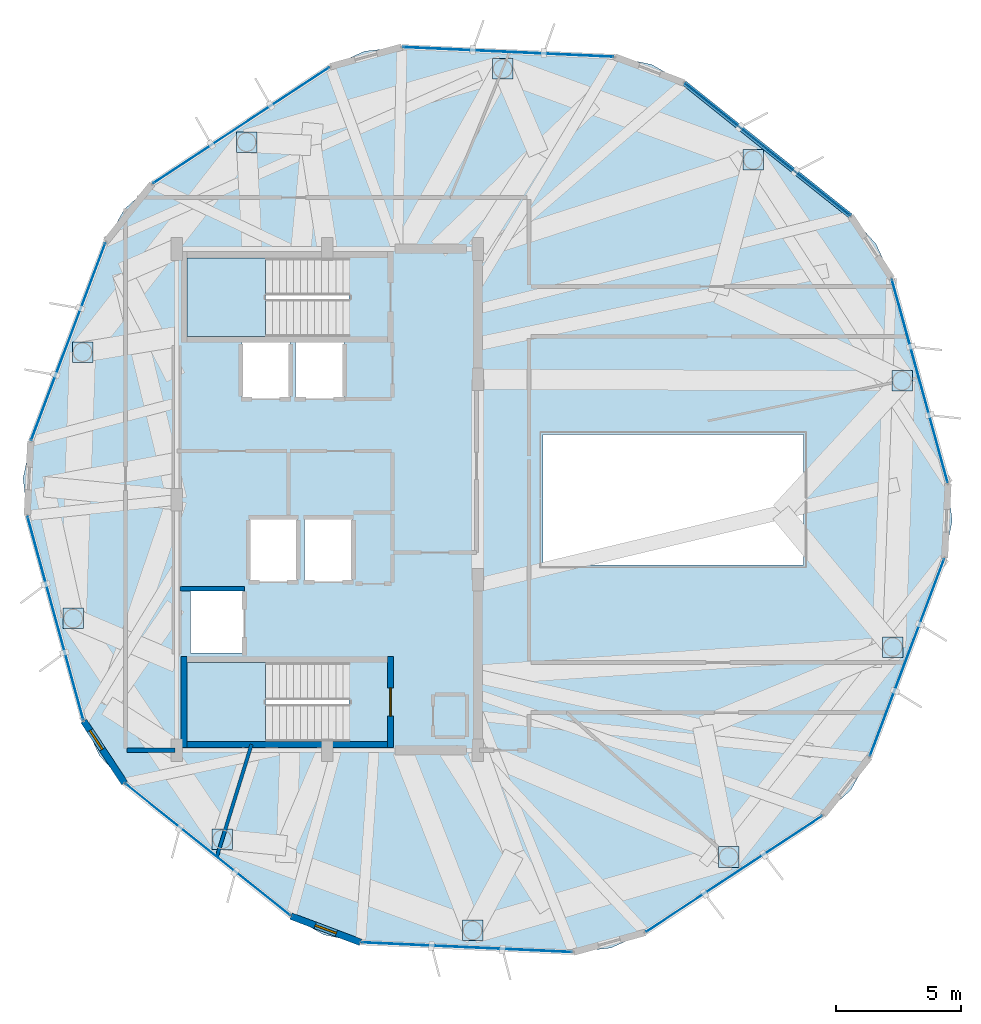
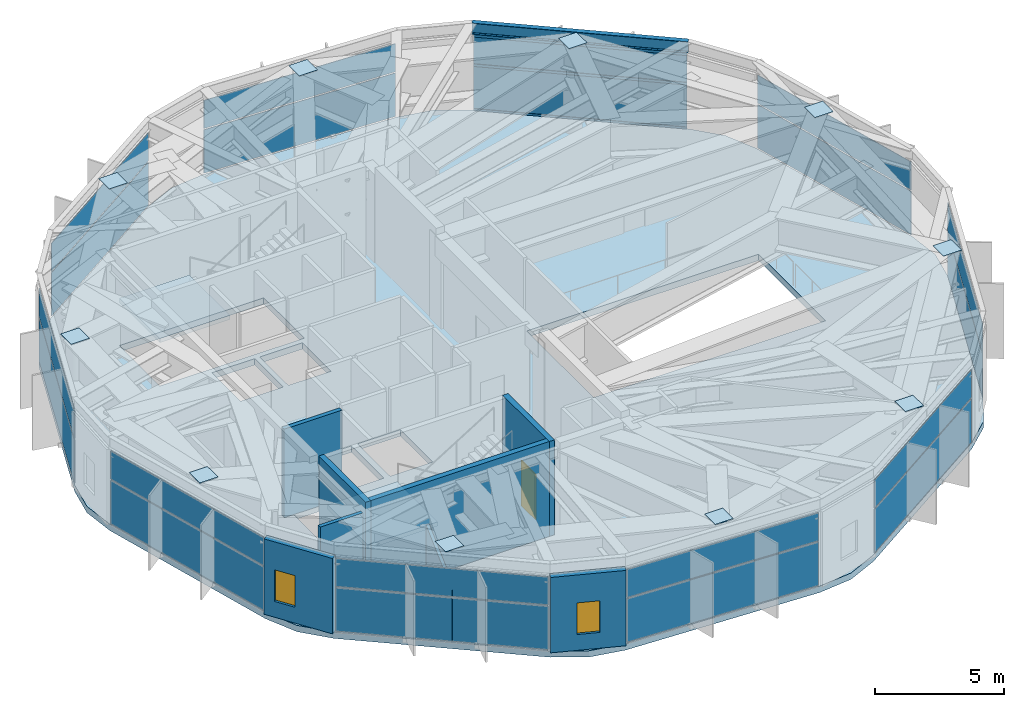
# One storey, part 21 of 27: 30 plates, 8 walls, 3 members, 3 slabs, 2 windows, 1 beam, 1 door, 3 openings, 12 elements without a shape of their own.
"""IFC4 building model written with IfcOpenShell, lengths in metres."""

import ifcopenshell
import ifcopenshell.guid

model = None  # the IFC model being written
_history = None  # IfcOwnerHistory: only IFC2X3 demands one
_inside = {}  # id of a spatial element -> (the spatial element, [elements in it])
_under = {}  # id of a project, library or spatial element -> (it, [spatial elements below it])
_declared = {}  # id of a project -> (the project, [libraries it declares])
_typed = {}  # id of a type object -> (the type object, [elements of that type])
_made_of = {}  # id of a material, layer set ... -> (it, [elements and type objects made of it])


def new_model(schema):
    """Start an empty IFC model of exactly this schema.

    Asked for "IFC4X3", IfcOpenShell would pick the latest addendum, in which some entities
    have other attributes; the version numbers below select the first issue.
    IFC2X3 requires an IfcOwnerHistory on every rooted entity: one is made here for all.
    """
    global model, _history
    if schema == "IFC4X3":
        model = ifcopenshell.file(schema_version=(4, 3, 0, 0))
    else:
        model = ifcopenshell.file(schema=schema)
    _inside.clear()
    _under.clear()
    _declared.clear()
    _typed.clear()
    _made_of.clear()
    _history = None
    if model.schema == "IFC2X3":
        org = make("IfcOrganization", Name="unknown")
        user = make(
            "IfcPersonAndOrganization",
            ThePerson=make("IfcPerson", FamilyName="unknown"),
            TheOrganization=org,
        )
        app = make(
            "IfcApplication",
            ApplicationDeveloper=org,
            Version="unknown",
            ApplicationFullName="unknown",
            ApplicationIdentifier="unknown",
        )
        _history = make(
            "IfcOwnerHistory",
            OwningUser=user,
            OwningApplication=app,
            ChangeAction="ADDED",
            CreationDate=0,
        )
    return model


def make(cls, **values):
    """One entity of the class cls with the attributes given. An attribute that is None is left unset."""
    return model.create_entity(
        cls, **{name: value for name, value in values.items() if value is not None}
    )


def rooted(cls, **values):
    """An entity with a GlobalId (a new one), such as an element, a storey or a relation."""
    return make(cls, GlobalId=ifcopenshell.guid.new(), OwnerHistory=_history, **values)


def si_unit(unit_type, name, prefix=None):
    """IfcSIUnit, for example si_unit("LENGTHUNIT", "METRE", prefix="MILLI")."""
    return make("IfcSIUnit", UnitType=unit_type, Prefix=prefix, Name=name)


def assignment(units):
    """IfcUnitAssignment: the units of a project."""
    return None if units is None else make("IfcUnitAssignment", Units=units)


def point(xyz):
    """IfcCartesianPoint."""
    return None if xyz is None else make("IfcCartesianPoint", Coordinates=xyz)


def direction(xyz):
    """IfcDirection."""
    return None if xyz is None else make("IfcDirection", DirectionRatios=xyz)


def frame(location, z_axis=None, x_axis=None):
    """IfcAxis2Placement3D, a coordinate frame: its origin and axes. An axis left out is left unset."""
    return make(
        "IfcAxis2Placement3D",
        Location=point(location),
        Axis=direction(z_axis),
        RefDirection=direction(x_axis),
    )


def frame_2d(location, x_axis=None):
    """IfcAxis2Placement2D, a coordinate frame in the plane: its origin and x axis."""
    return make(
        "IfcAxis2Placement2D", Location=point(location), RefDirection=direction(x_axis)
    )


def origin():
    """The frame at (0, 0, 0) with its axes left unset."""
    return frame((0.0, 0.0, 0.0))


def origin_2d():
    """The frame at (0, 0) in the plane with its x axis left unset."""
    return frame_2d((0.0, 0.0))


def place(relative_to, where):
    """IfcLocalPlacement: puts the frame where relative to a parent placement (None: the world)."""
    return make(
        "IfcLocalPlacement", PlacementRelTo=relative_to, RelativePlacement=where
    )


def context(
    kind, dimensions, precision=None, world=None, true_north=None, identifier=None
):
    """IfcGeometricRepresentationContext, for example the 3D "Model" context."""
    return make(
        "IfcGeometricRepresentationContext",
        ContextIdentifier=identifier,
        ContextType=kind,
        CoordinateSpaceDimension=dimensions,
        Precision=precision,
        WorldCoordinateSystem=world,
        TrueNorth=true_north,
    )


def subcontext(parent, identifier, kind, view, scale=None):
    """IfcGeometricRepresentationSubContext, for example "Body" below "Model"."""
    return make(
        "IfcGeometricRepresentationSubContext",
        ContextIdentifier=identifier,
        ContextType=kind,
        ParentContext=parent,
        TargetScale=scale,
        TargetView=view,
    )


def project(units=None, contexts=None):
    """IfcProject with its units and contexts."""
    return rooted(
        "IfcProject",
        Name="project",
        RepresentationContexts=contexts,
        UnitsInContext=assignment(units),
    )


def spatial(cls, under=None, at=None, **own):
    """A site, building, storey or space (cls), placed at a placement, below another one or the project."""
    s = rooted(cls, ObjectPlacement=at, **own)
    if under is not None:
        _under.setdefault(under.id(), (under, []))[1].append(s)
    return s


def polyline(points):
    """IfcPolyline through the points."""
    return make("IfcPolyline", Points=[point(p) for p in points])


def profile(cls, at=None, kind="AREA", **sizes):
    """A parametric profile (cls). Its sizes go by their IFC names, for example OverallWidth=200.0."""
    return make(cls, ProfileType=kind, Position=at, **sizes)


def rectangle(**sizes):
    """IfcRectangleProfileDef."""
    return profile("IfcRectangleProfileDef", **sizes)


def hollow_rectangle(**sizes):
    """IfcRectangleHollowProfileDef."""
    return profile("IfcRectangleHollowProfileDef", **sizes)


def i_section(**sizes):
    """IfcIShapeProfileDef."""
    return profile("IfcIShapeProfileDef", **sizes)


def outline(outer, holes=None, kind="AREA"):
    """IfcArbitraryClosedProfileDef: a profile drawn as a closed curve; with holes, ...WithVoids."""
    if holes is None:
        return make("IfcArbitraryClosedProfileDef", ProfileType=kind, OuterCurve=outer)
    return make(
        "IfcArbitraryProfileDefWithVoids",
        ProfileType=kind,
        OuterCurve=outer,
        InnerCurves=holes,
    )


def extrude(swept, where, along, depth):
    """IfcExtrudedAreaSolid: the profile swept, set in the frame where, extruded along a direction by depth."""
    return make(
        "IfcExtrudedAreaSolid",
        SweptArea=swept,
        Position=where,
        ExtrudedDirection=direction(along),
        Depth=depth,
    )


def shape(context_of_items, identifier, shape_type, items):
    """IfcShapeRepresentation: the items that make up one representation, for example the "Body"."""
    return make(
        "IfcShapeRepresentation",
        ContextOfItems=context_of_items,
        RepresentationIdentifier=identifier,
        RepresentationType=shape_type,
        Items=items,
    )


def material(Name=None, Category=None):
    """IfcMaterial."""
    return make("IfcMaterial", Name=Name, Category=Category)


def layer(
    of_material, thickness, ventilated=None, Name=None, Category=None, Priority=None
):
    """IfcMaterialLayer: one layer of a wall or slab, of a material (None: an air gap)."""
    return make(
        "IfcMaterialLayer",
        Material=of_material,
        LayerThickness=thickness,
        IsVentilated=ventilated,
        Name=Name,
        Category=Category,
        Priority=Priority,
    )


def layer_set(layers, Name=None):
    """IfcMaterialLayerSet."""
    return make("IfcMaterialLayerSet", MaterialLayers=layers, LayerSetName=Name)


def material_profile(
    of_material, cross_section, Name=None, Category=None, Priority=None
):
    """IfcMaterialProfile: a cross section and its material."""
    return make(
        "IfcMaterialProfile",
        Name=Name,
        Material=of_material,
        Profile=cross_section,
        Priority=Priority,
        Category=Category,
    )


def profile_set(profiles, Name=None, composite=None):
    """IfcMaterialProfileSet."""
    return make(
        "IfcMaterialProfileSet",
        Name=Name,
        MaterialProfiles=profiles,
        CompositeProfile=composite,
    )


def made_of(thing, what):
    """Note that an element or type object is made of a material, layer set ...; save() writes the relation."""
    if what is not None:
        _made_of.setdefault(what.id(), (what, []))[1].append(thing)
    return thing


def type_object(cls, material=None, **own):
    """A type object (cls), such as IfcWallType, which elements share."""
    return made_of(rooted(cls, **own), material)


def element(
    cls,
    number,
    at=None,
    inside=None,
    cuts=None,
    type_object=None,
    material=None,
    context=None,
    identifier="Body",
    shape_type=None,
    held_by="IfcProductDefinitionShape",
    body=None,
    shapes=None,
    **own,
):
    """One element of the class cls, such as IfcWall. Its Tag is "e" and its number.

    at: its placement. inside: the storey or other place that contains it. cuts: it is an
    opening in that element (IfcRelVoidsElement). A single representation is given by context,
    identifier, shape_type and body (its items); several are given by shapes. held_by: the class
    of the entity that holds the representations. save() writes the other relations.
    """
    e = rooted(cls, Tag="e%d" % number, ObjectPlacement=at, **own)
    if body is not None:
        shapes = [shape(context, identifier, shape_type, body)]
    if shapes is not None:
        e.Representation = make(held_by, Representations=shapes)
    if inside is not None:
        _inside.setdefault(inside.id(), (inside, []))[1].append(e)
    if cuts is not None:
        rooted(
            "IfcRelVoidsElement", RelatingBuildingElement=cuts, RelatedOpeningElement=e
        )
    if type_object is not None:
        _typed.setdefault(type_object.id(), (type_object, []))[1].append(e)
    return made_of(e, material)


def fill(opening, filler):
    """IfcRelFillsElement: the door or window that sits in an opening."""
    return rooted(
        "IfcRelFillsElement",
        RelatingOpeningElement=opening,
        RelatedBuildingElement=filler,
    )


def aggregate(whole, parts):
    """IfcRelAggregates: a whole, such as a stair, and the parts it consists of."""
    return rooted("IfcRelAggregates", RelatingObject=whole, RelatedObjects=parts)


def save(model, path):
    """Write the relations noted so far, then the file.

    IfcRelAggregates (storeys below a building ...), IfcRelContainedInSpatialStructure (elements
    in a storey), IfcRelDefinesByType, IfcRelAssociatesMaterial and IfcRelDeclares: one each for
    every whole, place, type object, material and project.
    """
    for whole, parts in _under.values():
        aggregate(whole, parts)
    for where, things in _inside.values():
        rooted(
            "IfcRelContainedInSpatialStructure",
            RelatedElements=things,
            RelatingStructure=where,
        )
    for kind, things in _typed.values():
        rooted("IfcRelDefinesByType", RelatedObjects=things, RelatingType=kind)
    for what, things in _made_of.values():
        rooted("IfcRelAssociatesMaterial", RelatedObjects=things, RelatingMaterial=what)
    for by, libraries in _declared.values():
        rooted("IfcRelDeclares", RelatingContext=by, RelatedDefinitions=libraries)
    model.write(path)


model = new_model("IFC4")

# Units and contexts
model_context = context("Model", 3, precision=1e-05, world=origin(), true_north=direction((0.0, 1.0)))
body_context = subcontext(model_context, "Body", "Model", "MODEL_VIEW")
ifc_project = project(units=[si_unit("LENGTHUNIT", "METRE"), si_unit("AREAUNIT", "SQUARE_METRE"), si_unit("VOLUMEUNIT", "CUBIC_METRE"), si_unit("PLANEANGLEUNIT", "RADIAN"), si_unit("MASSUNIT", "GRAM", prefix="KILO")], contexts=[model_context])

# Site, building, storey
site_placement = place(None, origin())
site = spatial("IfcSite", under=ifc_project, at=site_placement, CompositionType="ELEMENT")
building_placement = place(site_placement, origin())
building = spatial("IfcBuilding", under=site, at=building_placement, Name="Soratama Intermodal Tower", CompositionType="ELEMENT")
storey_placement = place(building_placement, frame((0.0, 0.0, 288.550048828125)))
storey = spatial("IfcBuildingStorey", under=building, at=storey_placement, Name="L73", CompositionType="ELEMENT", Elevation=288.550048828125)

# Beam
ifc_material_1 = material(Name="Structural steel ASTM A992 Grade 50", Category="steel")
ifc_material_profile_1 = material_profile(ifc_material_1, i_section(OverallWidth=0.2099609375, OverallDepth=0.537109375, WebThickness=0.010986328125, FlangeThickness=0.017333984375, FilletRadius=0.012939453125, at=origin_2d()), Name="W21X68")
ifc_profile_set_1 = profile_set([ifc_material_profile_1], Name="Structural steel ASTM A992 Grade 50")
beam_type = type_object("IfcBeamType", Name="BM-SPN-W21X68", PredefinedType="SPANDREL", material=ifc_profile_set_1)
beam_placement = place(storey_placement, frame((59.48388671875, 36.31201171875, 3.926513671875), z_axis=(-0.781112560179, 0.624390237216, 0.0), x_axis=(-0.624390237216, -0.781112560179, 0.0)))
element("IfcBeam", 1, at=beam_placement, inside=storey, type_object=beam_type, Name="BS-L73-F10", PredefinedType="SPANDREL", context=body_context, shape_type="SweptSolid", body=[
    extrude(i_section(OverallWidth=0.2099609375, OverallDepth=0.537109375, WebThickness=0.010986328125, FlangeThickness=0.017333984375, FilletRadius=0.012939453125, at=origin_2d()), origin(), (0.0, 0.0, 1.0), 8.499267578125),
])

# Curtain wall, members
ifc_material_2 = material(Name="Double-glazed aluminium curtain wall", Category="aluminium")
ifc_layer_1 = layer(ifc_material_2, 0.159912109375)
ifc_layer_set_1 = layer_set([ifc_layer_1], Name="Double-glazed aluminium curtain wall")
curtain_wall_type = type_object("IfcCurtainWallType", Name="CW-SYS-6", PredefinedType="NOTDEFINED", material=ifc_layer_set_1)
curtain_wall_1_placement = place(storey_placement, origin())
curtain_wall_1 = element("IfcCurtainWall", 2, at=curtain_wall_1_placement, inside=storey, type_object=curtain_wall_type, Name="L73 Faceted Curtain Wall F10", PredefinedType="NOTDEFINED")
ifc_material_3 = material(Name="Anodised aluminium AA 6063-T6", Category="aluminium")
ifc_material_profile_2 = material_profile(ifc_material_3, hollow_rectangle(XDim=0.06005859375, YDim=0.1298828125, WallThickness=0.0048828125, InnerFilletRadius=0.0048828125, OuterFilletRadius=0.010009765625, at=origin_2d()), Name="CWT130X60X5")
ifc_profile_set_2 = profile_set([ifc_material_profile_2], Name="Anodised aluminium AA 6063-T6")
member_type = type_object("IfcMemberType", Name="TT-CWT-2", PredefinedType="USERDEFINED", material=ifc_profile_set_2)
member_1_placement = place(storey_placement, frame((59.437255859375, 36.349365234375, 0.030029296875), z_axis=(-0.781081939423, 0.624428541874, 0.0), x_axis=(-0.624428541874, -0.781081939423, 0.0)))
member_1 = element("IfcMember", 3, at=member_1_placement, type_object=member_type, Name="CW-6 transom 1.1", ObjectType="TRANSOM", PredefinedType="USERDEFINED", context=body_context, shape_type="SweptSolid", body=[
    extrude(hollow_rectangle(XDim=0.06005859375, YDim=0.1298828125, WallThickness=0.0048828125, InnerFilletRadius=0.0048828125, OuterFilletRadius=0.010009765625, at=origin_2d()), origin(), (0.0, 0.0, 1.0), 8.3798828125),
])
member_2_placement = place(storey_placement, frame((59.437255859375, 36.349365234375, 2.14990234375), z_axis=(-0.781081939423, 0.624428541874, 0.0), x_axis=(-0.624428541874, -0.781081939423, 0.0)))
member_2 = element("IfcMember", 4, at=member_2_placement, type_object=member_type, Name="CW-6 transom 1.2", ObjectType="TRANSOM", PredefinedType="USERDEFINED", context=body_context, shape_type="SweptSolid", body=[
    extrude(hollow_rectangle(XDim=0.06005859375, YDim=0.1298828125, WallThickness=0.0048828125, InnerFilletRadius=0.0048828125, OuterFilletRadius=0.010009765625, at=origin_2d()), origin(), (0.0, 0.0, 1.0), 8.3798828125),
])
member_3_placement = place(storey_placement, frame((59.437255859375, 36.349365234375, 3.5439453125), z_axis=(-0.781081939423, 0.624428541874, 0.0), x_axis=(-0.624428541874, -0.781081939423, 0.0)))
member_3 = element("IfcMember", 5, at=member_3_placement, type_object=member_type, Name="CW-6 transom 1.3", ObjectType="TRANSOM", PredefinedType="USERDEFINED", context=body_context, shape_type="SweptSolid", body=[
    extrude(hollow_rectangle(XDim=0.06005859375, YDim=0.1298828125, WallThickness=0.0048828125, InnerFilletRadius=0.0048828125, OuterFilletRadius=0.010009765625, at=origin_2d()), origin(), (0.0, 0.0, 1.0), 8.3798828125),
])

# Plates
ifc_material_4 = material(Name="Steel ASTM A572 Gr 50", Category="steel")
ifc_layer_2 = layer(ifc_material_4, 0.030029296875)
ifc_layer_set_2 = layer_set([ifc_layer_2], Name="Steel ASTM A572 Gr 50")
plate_type_1 = type_object("IfcPlateType", Name="PT-CAP-CHS820", PredefinedType="USERDEFINED", material=ifc_layer_set_2)
for number, where, z_axis, x_axis, name in (
    (6, (61.53369140625, 29.740966796875, 4.1650390625), (0.0, 0.0, 1.0), (1.0, 0.0, 0.0), "L73 Hollow Column Cap Plate R01"),
    (7, (55.58935546875, 38.5537109375, 4.1650390625), (0.0, 0.0, 1.0), (1.0, 0.0, 0.0), "L73 Hollow Column Cap Plate R02"),
    (8, (45.600341796875, 42.189453125, 4.1650390625), (0.0, 0.0, 1.0), (1.0, 0.0, 0.0), "L73 Hollow Column Cap Plate R03"),
    (9, (35.3818359375, 39.259521484375, 4.1650390625), (0.0, 0.0, 1.0), (1.0, 0.0, 0.0), "L73 Hollow Column Cap Plate R04"),
    (10, (28.83740234375, 30.8828125, 4.1650390625), (0.0, 0.0, 1.0), (1.0, 0.0, 0.0), "L73 Hollow Column Cap Plate R05"),
    (11, (28.46630859375, 20.259033203125, 4.1650390625), (0.0, 0.0, 1.0), (1.0, 0.0, 0.0), "L73 Hollow Column Cap Plate R06"),
    (12, (34.41064453125, 11.4462890625, 4.1650390625), (0.0, 0.0, 1.0), (1.0, 0.0, 0.0), "L73 Hollow Column Cap Plate R07"),
    (13, (44.399658203125, 7.810546875, 4.1650390625), (0.0, 0.0, 1.0), (1.0, 0.0, 0.0), "L73 Hollow Column Cap Plate R08"),
    (14, (54.6181640625, 10.740478515625, 4.1650390625), (0.0, 0.0, 1.0), (1.0, 0.0, 0.0), "L73 Hollow Column Cap Plate R09"),
    (15, (61.16259765625, 19.1171875, 4.1650390625), (0.0, 0.0, 1.0), (1.0, 0.0, 0.0), "L73 Hollow Column Cap Plate R10"),
):
    element("IfcPlate", number, at=place(storey_placement, frame(where, z_axis=z_axis, x_axis=x_axis)), inside=storey, type_object=plate_type_1, Name=name, ObjectType="END PLATE", PredefinedType="USERDEFINED", context=body_context, shape_type="SweptSolid", body=[
        extrude(rectangle(XDim=0.820068359375, YDim=0.820068359375, at=origin_2d()), origin(), (0.0, 0.0, 1.0), 0.030029296875),
    ])

# Curtain wall, plates
curtain_wall_2_placement = place(storey_placement, origin())
curtain_wall_2 = element("IfcCurtainWall", 16, at=curtain_wall_2_placement, inside=storey, type_object=curtain_wall_type, Name="L73 Faceted Curtain Wall F01", PredefinedType="NOTDEFINED")
ifc_material_5 = material(Name="Low-E laminated double glazing", Category="glass")
ifc_layer_3 = layer(ifc_material_5, 0.01806640625)
ifc_layer_set_3 = layer_set([ifc_layer_3], Name="Low-E laminated double glazing")
plate_type_2 = type_object("IfcPlateType", Name="PT-CWP-6", PredefinedType="CURTAIN_PANEL", material=ifc_layer_set_3)
plate_1_placement = place(storey_placement, frame((45.823486328125, 42.86083984375, 0.059814453125), z_axis=(0.0, 0.0, 1.0), x_axis=(-0.998938659555, 0.04606033486, 0.0)))
plate_1 = element("IfcPlate", 17, at=plate_1_placement, type_object=plate_type_2, Name="CW-6 panel 1.1", PredefinedType="CURTAIN_PANEL", context=body_context, shape_type="SweptSolid", body=[
    extrude(rectangle(XDim=8.379638671875, YDim=0.028076171875, at=origin_2d()), origin(), (0.0, 0.0, 1.0), 2.06005859375),
])
plate_2_placement = place(storey_placement, frame((45.823486328125, 42.86083984375, 2.179931640625), z_axis=(0.0, 0.0, 1.0), x_axis=(-0.998938659555, 0.04606033486, 0.0)))
plate_2 = element("IfcPlate", 18, at=plate_2_placement, type_object=plate_type_2, Name="CW-6 panel 1.2", PredefinedType="CURTAIN_PANEL", context=body_context, shape_type="SweptSolid", body=[
    extrude(rectangle(XDim=8.379638671875, YDim=0.028076171875, at=origin_2d()), origin(), (0.0, 0.0, 1.0), 1.333984375),
])
aggregate(curtain_wall_2, [plate_1, plate_2])

curtain_wall_3_placement = place(storey_placement, origin())
curtain_wall_3 = element("IfcCurtainWall", 19, at=curtain_wall_3_placement, inside=storey, type_object=curtain_wall_type, Name="L73 Faceted Curtain Wall F02", PredefinedType="NOTDEFINED")
plate_3_placement = place(storey_placement, frame((35.16796875, 39.933837890625, 0.059814453125), z_axis=(0.0, 0.0, 1.0), x_axis=(-0.835236498161, -0.549890891123, 0.0)))
plate_3 = element("IfcPlate", 20, at=plate_3_placement, type_object=plate_type_2, Name="CW-6 panel 1.1", PredefinedType="CURTAIN_PANEL", context=body_context, shape_type="SweptSolid", body=[
    extrude(rectangle(XDim=8.3798828125, YDim=0.028076171875, at=origin_2d()), origin(), (0.0, 0.0, 1.0), 2.06005859375),
])
plate_4_placement = place(storey_placement, frame((35.16796875, 39.933837890625, 2.179931640625), z_axis=(0.0, 0.0, 1.0), x_axis=(-0.835236498161, -0.549890891123, 0.0)))
plate_4 = element("IfcPlate", 21, at=plate_4_placement, type_object=plate_type_2, Name="CW-6 panel 1.2", PredefinedType="CURTAIN_PANEL", context=body_context, shape_type="SweptSolid", body=[
    extrude(rectangle(XDim=8.3798828125, YDim=0.028076171875, at=origin_2d()), origin(), (0.0, 0.0, 1.0), 1.333984375),
])
aggregate(curtain_wall_3, [plate_3, plate_4])

curtain_wall_4_placement = place(storey_placement, origin())
curtain_wall_4 = element("IfcCurtainWall", 22, at=curtain_wall_4_placement, inside=storey, type_object=curtain_wall_type, Name="L73 Faceted Curtain Wall F03", PredefinedType="NOTDEFINED")
plate_5_placement = place(storey_placement, frame((28.267822265625, 31.302490234375, 0.059814453125), z_axis=(0.0, 0.0, 1.0), x_axis=(-0.352498745466, -0.935812285902, 0.0)))
plate_5 = element("IfcPlate", 23, at=plate_5_placement, type_object=plate_type_2, Name="CW-6 panel 1.1", PredefinedType="CURTAIN_PANEL", context=body_context, shape_type="SweptSolid", body=[
    extrude(rectangle(XDim=8.3798828125, YDim=0.028076171875, at=origin_2d()), origin(), (0.0, 0.0, 1.0), 2.06005859375),
])
plate_6_placement = place(storey_placement, frame((28.267822265625, 31.302490234375, 2.179931640625), z_axis=(0.0, 0.0, 1.0), x_axis=(-0.352498745466, -0.935812285902, 0.0)))
plate_6 = element("IfcPlate", 24, at=plate_6_placement, type_object=plate_type_2, Name="CW-6 panel 1.2", PredefinedType="CURTAIN_PANEL", context=body_context, shape_type="SweptSolid", body=[
    extrude(rectangle(XDim=8.3798828125, YDim=0.028076171875, at=origin_2d()), origin(), (0.0, 0.0, 1.0), 1.333984375),
])
aggregate(curtain_wall_4, [plate_5, plate_6])

curtain_wall_5_placement = place(storey_placement, origin())
curtain_wall_5 = element("IfcCurtainWall", 25, at=curtain_wall_5_placement, inside=storey, type_object=curtain_wall_type, Name="L73 Faceted Curtain Wall F04", PredefinedType="NOTDEFINED")
plate_7_placement = place(storey_placement, frame((27.7587890625, 20.263916015625, 0.059814453125), z_axis=(0.0, 0.0, 1.0), x_axis=(0.264877010617, -0.964282204153, 0.0)))
plate_7 = element("IfcPlate", 26, at=plate_7_placement, type_object=plate_type_2, Name="CW-6 panel 1.1", PredefinedType="CURTAIN_PANEL", context=body_context, shape_type="SweptSolid", body=[
    extrude(rectangle(XDim=8.3798828125, YDim=0.028076171875, at=origin_2d()), origin(), (0.0, 0.0, 1.0), 2.06005859375),
])
plate_8_placement = place(storey_placement, frame((27.7587890625, 20.263916015625, 2.179931640625), z_axis=(0.0, 0.0, 1.0), x_axis=(0.264877010617, -0.964282204153, 0.0)))
plate_8 = element("IfcPlate", 27, at=plate_8_placement, type_object=plate_type_2, Name="CW-6 panel 1.2", PredefinedType="CURTAIN_PANEL", context=body_context, shape_type="SweptSolid", body=[
    extrude(rectangle(XDim=8.3798828125, YDim=0.028076171875, at=origin_2d()), origin(), (0.0, 0.0, 1.0), 1.333984375),
])
aggregate(curtain_wall_5, [plate_7, plate_8])

curtain_wall_6_placement = place(storey_placement, origin())
curtain_wall_6 = element("IfcCurtainWall", 28, at=curtain_wall_6_placement, inside=storey, type_object=curtain_wall_type, Name="L73 Faceted Curtain Wall F05", PredefinedType="NOTDEFINED")
plate_9_placement = place(storey_placement, frame((33.83544921875, 11.034423828125, 0.059814453125), z_axis=(0.0, 0.0, 1.0), x_axis=(0.781085696255, -0.624423842519, 0.0)))
plate_9 = element("IfcPlate", 29, at=plate_9_placement, type_object=plate_type_2, Name="CW-6 panel 1.1", PredefinedType="CURTAIN_PANEL", context=body_context, shape_type="SweptSolid", body=[
    extrude(rectangle(XDim=8.3798828125, YDim=0.028076171875, at=origin_2d()), origin(), (0.0, 0.0, 1.0), 2.06005859375),
])
plate_10_placement = place(storey_placement, frame((33.83544921875, 11.034423828125, 2.179931640625), z_axis=(0.0, 0.0, 1.0), x_axis=(0.781085696255, -0.624423842519, 0.0)))
plate_10 = element("IfcPlate", 30, at=plate_10_placement, type_object=plate_type_2, Name="CW-6 panel 1.2", PredefinedType="CURTAIN_PANEL", context=body_context, shape_type="SweptSolid", body=[
    extrude(rectangle(XDim=8.3798828125, YDim=0.028076171875, at=origin_2d()), origin(), (0.0, 0.0, 1.0), 1.333984375),
])
aggregate(curtain_wall_6, [plate_9, plate_10])

curtain_wall_7_placement = place(storey_placement, origin())
curtain_wall_7 = element("IfcCurtainWall", 31, at=curtain_wall_7_placement, inside=storey, type_object=curtain_wall_type, Name="L73 Faceted Curtain Wall F06", PredefinedType="NOTDEFINED")
plate_11_placement = place(storey_placement, frame((44.176513671875, 7.13916015625, 0.059814453125), z_axis=(0.0, 0.0, 1.0), x_axis=(0.998938659555, -0.04606033486, 0.0)))
plate_11 = element("IfcPlate", 32, at=plate_11_placement, type_object=plate_type_2, Name="CW-6 panel 1.1", PredefinedType="CURTAIN_PANEL", context=body_context, shape_type="SweptSolid", body=[
    extrude(rectangle(XDim=8.379638671875, YDim=0.028076171875, at=origin_2d()), origin(), (0.0, 0.0, 1.0), 2.06005859375),
])
plate_12_placement = place(storey_placement, frame((44.176513671875, 7.13916015625, 2.179931640625), z_axis=(0.0, 0.0, 1.0), x_axis=(0.998938659555, -0.04606033486, 0.0)))
plate_12 = element("IfcPlate", 33, at=plate_12_placement, type_object=plate_type_2, Name="CW-6 panel 1.2", PredefinedType="CURTAIN_PANEL", context=body_context, shape_type="SweptSolid", body=[
    extrude(rectangle(XDim=8.379638671875, YDim=0.028076171875, at=origin_2d()), origin(), (0.0, 0.0, 1.0), 1.333984375),
])
aggregate(curtain_wall_7, [plate_11, plate_12])

curtain_wall_8_placement = place(storey_placement, origin())
curtain_wall_8 = element("IfcCurtainWall", 34, at=curtain_wall_8_placement, inside=storey, type_object=curtain_wall_type, Name="L73 Faceted Curtain Wall F07", PredefinedType="NOTDEFINED")
plate_13_placement = place(storey_placement, frame((54.83203125, 10.066162109375, 0.059814453125), z_axis=(0.0, 0.0, 1.0), x_axis=(0.835236498161, 0.549890891123, 0.0)))
plate_13 = element("IfcPlate", 35, at=plate_13_placement, type_object=plate_type_2, Name="CW-6 panel 1.1", PredefinedType="CURTAIN_PANEL", context=body_context, shape_type="SweptSolid", body=[
    extrude(rectangle(XDim=8.3798828125, YDim=0.028076171875, at=origin_2d()), origin(), (0.0, 0.0, 1.0), 2.06005859375),
])
plate_14_placement = place(storey_placement, frame((54.83203125, 10.066162109375, 2.179931640625), z_axis=(0.0, 0.0, 1.0), x_axis=(0.835236498161, 0.549890891123, 0.0)))
plate_14 = element("IfcPlate", 36, at=plate_14_placement, type_object=plate_type_2, Name="CW-6 panel 1.2", PredefinedType="CURTAIN_PANEL", context=body_context, shape_type="SweptSolid", body=[
    extrude(rectangle(XDim=8.3798828125, YDim=0.028076171875, at=origin_2d()), origin(), (0.0, 0.0, 1.0), 1.333984375),
])
aggregate(curtain_wall_8, [plate_13, plate_14])

curtain_wall_9_placement = place(storey_placement, origin())
curtain_wall_9 = element("IfcCurtainWall", 37, at=curtain_wall_9_placement, inside=storey, type_object=curtain_wall_type, Name="L73 Faceted Curtain Wall F08", PredefinedType="NOTDEFINED")
plate_15_placement = place(storey_placement, frame((61.732177734375, 18.697509765625, 0.059814453125), z_axis=(0.0, 0.0, 1.0), x_axis=(0.352498745466, 0.935812285902, 0.0)))
plate_15 = element("IfcPlate", 38, at=plate_15_placement, type_object=plate_type_2, Name="CW-6 panel 1.1", PredefinedType="CURTAIN_PANEL", context=body_context, shape_type="SweptSolid", body=[
    extrude(rectangle(XDim=8.3798828125, YDim=0.028076171875, at=origin_2d()), origin(), (0.0, 0.0, 1.0), 2.06005859375),
])
plate_16_placement = place(storey_placement, frame((61.732177734375, 18.697509765625, 2.179931640625), z_axis=(0.0, 0.0, 1.0), x_axis=(0.352498745466, 0.935812285902, 0.0)))
plate_16 = element("IfcPlate", 39, at=plate_16_placement, type_object=plate_type_2, Name="CW-6 panel 1.2", PredefinedType="CURTAIN_PANEL", context=body_context, shape_type="SweptSolid", body=[
    extrude(rectangle(XDim=8.3798828125, YDim=0.028076171875, at=origin_2d()), origin(), (0.0, 0.0, 1.0), 1.333984375),
])
aggregate(curtain_wall_9, [plate_15, plate_16])

curtain_wall_10_placement = place(storey_placement, origin())
curtain_wall_10 = element("IfcCurtainWall", 40, at=curtain_wall_10_placement, inside=storey, type_object=curtain_wall_type, Name="L73 Faceted Curtain Wall F09", PredefinedType="NOTDEFINED")
plate_17_placement = place(storey_placement, frame((62.2412109375, 29.736083984375, 0.059814453125), z_axis=(0.0, 0.0, 1.0), x_axis=(-0.264877010617, 0.964282204153, 0.0)))
plate_17 = element("IfcPlate", 41, at=plate_17_placement, type_object=plate_type_2, Name="CW-6 panel 1.1", PredefinedType="CURTAIN_PANEL", context=body_context, shape_type="SweptSolid", body=[
    extrude(rectangle(XDim=8.3798828125, YDim=0.028076171875, at=origin_2d()), origin(), (0.0, 0.0, 1.0), 2.06005859375),
])
plate_18_placement = place(storey_placement, frame((62.2412109375, 29.736083984375, 2.179931640625), z_axis=(0.0, 0.0, 1.0), x_axis=(-0.264877010617, 0.964282204153, 0.0)))
plate_18 = element("IfcPlate", 42, at=plate_18_placement, type_object=plate_type_2, Name="CW-6 panel 1.2", PredefinedType="CURTAIN_PANEL", context=body_context, shape_type="SweptSolid", body=[
    extrude(rectangle(XDim=8.3798828125, YDim=0.028076171875, at=origin_2d()), origin(), (0.0, 0.0, 1.0), 1.333984375),
])
aggregate(curtain_wall_10, [plate_17, plate_18])

# Plate
plate_19_placement = place(storey_placement, frame((56.16455078125, 38.965576171875, 0.059814453125), z_axis=(0.0, 0.0, 1.0), x_axis=(-0.781085696255, 0.624423842519, 0.0)))
plate_19 = element("IfcPlate", 43, at=plate_19_placement, type_object=plate_type_2, Name="CW-6 panel 1.1", PredefinedType="CURTAIN_PANEL", context=body_context, shape_type="SweptSolid", body=[
    extrude(rectangle(XDim=8.3798828125, YDim=0.028076171875, at=origin_2d()), origin(), (0.0, 0.0, 1.0), 2.06005859375),
])

plate_20_placement = place(storey_placement, frame((56.16455078125, 38.965576171875, 2.179931640625), z_axis=(0.0, 0.0, 1.0), x_axis=(-0.781085696255, 0.624423842519, 0.0)))
plate_20 = element("IfcPlate", 44, at=plate_20_placement, type_object=plate_type_2, Name="CW-6 panel 1.2", PredefinedType="CURTAIN_PANEL", context=body_context, shape_type="SweptSolid", body=[
    extrude(rectangle(XDim=8.3798828125, YDim=0.028076171875, at=origin_2d()), origin(), (0.0, 0.0, 1.0), 1.333984375),
])

aggregate(curtain_wall_1, [member_1, member_2, member_3, plate_19, plate_20])

# Stair, slab
ifc_material_6 = material(Name="Concrete f'c 42 MPa", Category="concrete")
stair_type = type_object("IfcStairType", Name="ST-CORE-DOGLEG", PredefinedType="HALF_TURN_STAIR", material=ifc_material_6)
stair_1_placement = place(storey_placement, origin())
stair_1 = element("IfcStair", 45, at=stair_1_placement, inside=storey, type_object=stair_type, Name="L73 ST-1", PredefinedType="HALF_TURN_STAIR")
ifc_material_7 = material(Name="Concrete f'c 42 MPa", Category="concrete")
ifc_layer_4 = layer(ifc_material_7, 0.219970703125)
ifc_layer_set_4 = layer_set([ifc_layer_4], Name="Concrete f'c 42 MPa")
slab_type_1 = type_object("IfcSlabType", Name="SL-STAIR-LAND", PredefinedType="LANDING", material=ifc_layer_set_4)
slab_1_placement = place(storey_placement, frame((0.0, 0.0, 2.050048828125)))
slab_1 = element("IfcSlab", 46, at=slab_1_placement, type_object=slab_type_1, Name="ST-1 landing 1", PredefinedType="LANDING", context=body_context, shape_type="SweptSolid", body=[
    extrude(outline(polyline([(36.139892578125, 18.5), (33.0, 18.5), (33.0, 15.35009765625), (36.139892578125, 15.35009765625), (36.139892578125, 18.5)])), origin(), (0.0, 0.0, 1.0), 0.199951171875),
])
aggregate(stair_1, [slab_1])

stair_2_placement = place(storey_placement, origin())
stair_2 = element("IfcStair", 47, at=stair_2_placement, inside=storey, type_object=stair_type, Name="L73 ST-2", PredefinedType="HALF_TURN_STAIR")
slab_2_placement = place(storey_placement, frame((0.0, 0.0, 2.050048828125)))
slab_2 = element("IfcSlab", 48, at=slab_2_placement, type_object=slab_type_1, Name="ST-2 landing 1", PredefinedType="LANDING", context=body_context, shape_type="SweptSolid", body=[
    extrude(outline(polyline([(36.139892578125, 34.64990234375), (33.0, 34.64990234375), (33.0, 31.5), (36.139892578125, 31.5), (36.139892578125, 34.64990234375)])), origin(), (0.0, 0.0, 1.0), 0.199951171875),
])
aggregate(stair_2, [slab_2])

# Slab
ifc_material_8 = material(Name="Concrete f'c 42 MPa", Category="concrete")
ifc_layer_5 = layer(ifc_material_8, 0.280029296875)
ifc_layer_set_5 = layer_set([ifc_layer_5], Name="Concrete f'c 42 MPa")
slab_type_2 = type_object("IfcSlabType", Name="SL-TWR-280", PredefinedType="FLOOR", material=ifc_layer_set_5)
slab_3_placement = place(storey_placement, frame((0.0, 0.0, -0.300048828125)))
element("IfcSlab", 49, at=slab_3_placement, inside=storey, type_object=slab_type_2, Name="L73 Structural Floor Slab", PredefinedType="FLOOR", context=body_context, shape_type="SweptSolid", body=[
    extrude(outline(polyline([(52.84521484375, 41.619384765625), (51.539794921875, 42.362060546875), (50.06884765625, 42.6650390625), (41.578125, 43.056640625), (40.085693359375, 42.890380859375), (38.717529296875, 42.270751953125), (31.6181640625, 37.5966796875), (30.508544921875, 36.5849609375), (29.765869140625, 35.27978515625), (26.769775390625, 27.325439453125), (26.466796875, 25.8544921875), (26.633056640625, 24.362060546875), (28.884521484375, 16.165771484375), (29.50390625, 14.7978515625), (30.515869140625, 13.68798828125), (37.15478515625, 8.380615234375), (38.460205078125, 7.637939453125), (39.93115234375, 7.3349609375), (48.421875, 6.943359375), (49.914306640625, 7.109619140625), (51.282470703125, 7.729248046875), (58.3818359375, 12.4033203125), (59.491455078125, 13.4150390625), (60.234130859375, 14.72021484375), (63.230224609375, 22.674560546875), (63.533203125, 24.1455078125), (63.366943359375, 25.637939453125), (61.115478515625, 33.834228515625), (60.49609375, 35.2021484375), (59.484130859375, 36.31201171875), (52.84521484375, 41.619384765625)]), holes=[polyline([(33.0, 18.5), (33.0, 15.35009765625), (39.47509765625, 15.35009765625), (39.47509765625, 18.5), (33.0, 18.5)]), polyline([(35.260009765625, 21.409912109375), (33.139892578125, 21.409912109375), (33.139892578125, 18.889892578125), (35.260009765625, 18.889892578125), (35.260009765625, 21.409912109375)]), polyline([(37.409912109375, 24.260009765625), (35.489990234375, 24.260009765625), (35.489990234375, 21.739990234375), (37.409912109375, 21.739990234375), (37.409912109375, 24.260009765625)]), polyline([(39.610107421875, 24.260009765625), (37.68994140625, 24.260009765625), (37.68994140625, 21.739990234375), (39.610107421875, 21.739990234375), (39.610107421875, 24.260009765625)]), polyline([(57.60009765625, 27.60009765625), (47.199951171875, 27.60009765625), (47.199951171875, 22.39990234375), (57.60009765625, 22.39990234375), (57.60009765625, 27.60009765625)]), polyline([(37.110107421875, 31.260009765625), (35.18994140625, 31.260009765625), (35.18994140625, 29.0400390625), (37.110107421875, 29.0400390625), (37.110107421875, 31.260009765625)]), polyline([(39.260009765625, 31.260009765625), (37.340087890625, 31.260009765625), (37.340087890625, 29.0400390625), (39.260009765625, 29.0400390625), (39.260009765625, 31.260009765625)]), polyline([(33.0, 34.64990234375), (33.0, 31.5), (39.47509765625, 31.5), (39.47509765625, 34.64990234375), (33.0, 34.64990234375)])]), origin(), (0.0, 0.0, 1.0), 0.300048828125),
])

# Wall, opening, window
ifc_material_9 = material(Name="Concrete f'c 42 MPa", Category="concrete")
ifc_layer_6 = layer(ifc_material_9, 0.27001953125)
ifc_layer_set_6 = layer_set([ifc_layer_6], Name="Concrete f'c 42 MPa")
wall_type_1 = type_object("IfcWallType", Name="EW-CRN-270", PredefinedType="SOLIDWALL", material=ifc_layer_set_6)
wall_1_placement = place(storey_placement, frame((28.884521484375, 16.165771484375, 0.0), z_axis=(0.0, 0.0, 1.0), x_axis=(0.549905162687, -0.835227102081, 0.0)))
wall_1 = element("IfcWall", 50, at=wall_1_placement, inside=storey, type_object=wall_type_1, Name="L73 Corner Closure Wall 04", PredefinedType="SOLIDWALL", context=body_context, shape_type="SweptSolid", body=[
    extrude(rectangle(XDim=2.966552734375, YDim=0.27001953125, at=frame_2d((1.4833984375, 0.0))), origin(), (0.0, 0.0, 1.0), 3.573974609375),
])
opening_1_placement = place(wall_1_placement, frame((0.449951171875, 0.0, 0.75)))
opening_1 = element("IfcOpeningElement", 51, at=opening_1_placement, cuts=wall_1, Name="Opening WN-6", PredefinedType="OPENING", context=body_context, shape_type="SweptSolid", body=[
    extrude(rectangle(XDim=0.89990234375, YDim=1.5, at=frame_2d((0.449951171875, 0.75))), frame((0.0, 0.14501953125, 0.0), z_axis=(0.0, -1.0, 0.0), x_axis=(1.0, 0.0, 0.0)), (0.0, 0.0, 1.0), 0.2900390625),
])
ifc_material_10 = material(Name="Double-glazed aluminium window", Category="aluminium")
window_type = type_object("IfcWindowType", Name="WN-FAC-900", PartitioningType="SINGLE_PANEL", PredefinedType="WINDOW", material=ifc_material_10)
window_1_placement = place(opening_1_placement, origin())
window_1 = element("IfcWindow", 52, at=window_1_placement, inside=storey, type_object=window_type, Name="L73 Corner Window 04", OverallHeight=1.5, OverallWidth=0.89990234375, PartitioningType="SINGLE_PANEL", PredefinedType="WINDOW", context=body_context, shape_type="SweptSolid", body=[
    extrude(rectangle(XDim=0.89990234375, YDim=1.5, at=frame_2d((0.449951171875, 0.75))), frame((0.0, 0.030029296875, 0.0), z_axis=(0.0, -1.0, 0.0), x_axis=(1.0, 0.0, 0.0)), (0.0, 0.0, 1.0), 0.06005859375),
])
fill(opening_1, window_1)

wall_2_placement = place(storey_placement, frame((37.15478515625, 8.380615234375, 0.0), z_axis=(0.0, 0.0, 1.0), x_axis=(0.935827708893, -0.352457797853, 0.0)))
wall_2 = element("IfcWall", 53, at=wall_2_placement, inside=storey, type_object=wall_type_1, Name="L73 Corner Closure Wall 05", PredefinedType="SOLIDWALL", context=body_context, shape_type="SweptSolid", body=[
    extrude(rectangle(XDim=2.966796875, YDim=0.27001953125, at=frame_2d((1.4833984375, 0.0))), origin(), (0.0, 0.0, 1.0), 3.573974609375),
])
opening_2_placement = place(wall_2_placement, frame((1.033203125, 0.0, 0.75)))
opening_2 = element("IfcOpeningElement", 54, at=opening_2_placement, cuts=wall_2, Name="Opening WN-6", PredefinedType="OPENING", context=body_context, shape_type="SweptSolid", body=[
    extrude(rectangle(XDim=0.89990234375, YDim=1.5, at=frame_2d((0.449951171875, 0.75))), frame((0.0, 0.14501953125, 0.0), z_axis=(0.0, -1.0, 0.0), x_axis=(1.0, 0.0, 0.0)), (0.0, 0.0, 1.0), 0.2900390625),
])
window_2_placement = place(opening_2_placement, origin())
window_2 = element("IfcWindow", 55, at=window_2_placement, inside=storey, type_object=window_type, Name="L73 Corner Window 05", OverallHeight=1.5, OverallWidth=0.89990234375, PartitioningType="SINGLE_PANEL", PredefinedType="WINDOW", context=body_context, shape_type="SweptSolid", body=[
    extrude(rectangle(XDim=0.89990234375, YDim=1.5, at=frame_2d((0.449951171875, 0.75))), frame((0.0, 0.030029296875, 0.0), z_axis=(0.0, -1.0, 0.0), x_axis=(1.0, 0.0, 0.0)), (0.0, 0.0, 1.0), 0.06005859375),
])
fill(opening_2, window_2)

# Walls
ifc_material_11 = material(Name="Fire-rated gypsum stud partition", Category="concrete")
ifc_layer_7 = layer(ifc_material_11, 0.159912109375)
ifc_layer_set_7 = layer_set([ifc_layer_7], Name="Fire-rated gypsum stud partition")
wall_type_2 = type_object("IfcWallType", Name="IW-PART-R160", PredefinedType="PARTITIONING", material=ifc_layer_set_7)
wall_3_placement = place(storey_placement, frame((32.530029296875, 15.0, 0.0), z_axis=(0.0, 0.0, 1.0), x_axis=(-1.0, 0.0, 0.0)))
element("IfcWall", 56, at=wall_3_placement, inside=storey, type_object=wall_type_2, Name="L73 Partition W-L73-TP021", PredefinedType="PARTITIONING", context=body_context, shape_type="SweptSolid", body=[
    extrude(rectangle(XDim=1.909912109375, YDim=0.159912109375, at=frame_2d((0.955078125, 0.0))), origin(), (0.0, 0.0, 1.0), 4.195068359375),
])
ifc_material_12 = material(Name="Fire-rated gypsum stud partition", Category="concrete")
ifc_layer_8 = layer(ifc_material_12, 0.139892578125)
ifc_layer_set_8 = layer_set([ifc_layer_8], Name="Fire-rated gypsum stud partition")
wall_type_3 = type_object("IfcWallType", Name="IW-PART-S140", PredefinedType="PARTITIONING", material=ifc_layer_set_8)
wall_4_placement = place(storey_placement, frame((35.580078125, 15.22998046875, 0.0), z_axis=(0.0, 0.0, 1.0), x_axis=(-0.295186233407, -0.955439735204, 0.0)))
element("IfcWall", 57, at=wall_4_placement, inside=storey, type_object=wall_type_3, Name="L73 Partition W-L73-TP011", PredefinedType="PARTITIONING", context=body_context, shape_type="SweptSolid", body=[
    extrude(rectangle(XDim=4.69189453125, YDim=0.139892578125, at=frame_2d((2.345947265625, 0.0))), origin(), (0.0, 0.0, 1.0), 2.48486328125),
])
ifc_material_13 = material(Name="Concrete f'c 42 MPa", Category="concrete")
ifc_layer_9 = layer(ifc_material_13, 0.18505859375)
ifc_layer_set_9 = layer_set([ifc_layer_9], Name="Concrete f'c 42 MPa")
wall_type_4 = type_object("IfcWallType", Name="IW-SHAFT-185", PredefinedType="SOLIDWALL", material=ifc_layer_set_9)
wall_5_placement = place(storey_placement, frame((32.719970703125, 21.449951171875, 0.0), z_axis=(0.0, 0.0, 1.0), x_axis=(1.0, 0.0, 0.0)))
element("IfcWall", 58, at=wall_5_placement, inside=storey, type_object=wall_type_4, Name="L73 SVL-1 Hoistway Wall N", PredefinedType="SOLIDWALL", context=body_context, shape_type="SweptSolid", body=[
    extrude(rectangle(XDim=2.580078125, YDim=0.18505859375, at=frame_2d((1.2900390625, 0.0))), origin(), (0.0, 0.0, 1.0), 4.195068359375),
])
ifc_material_14 = material(Name="Concrete f'c 56 MPa", Category="concrete")
ifc_layer_10 = layer(ifc_material_14, 0.239990234375)
ifc_layer_set_10 = layer_set([ifc_layer_10], Name="Concrete f'c 56 MPa")
wall_type_5 = type_object("IfcWallType", Name="SW-STAIR-240", PredefinedType="SHEAR", material=ifc_layer_set_10)
wall_6_placement = place(storey_placement, frame((32.8798828125, 15.110107421875, 0.0), z_axis=(0.0, 0.0, 1.0), x_axis=(0.0, 1.0, 0.0)))
element("IfcWall", 59, at=wall_6_placement, inside=storey, type_object=wall_type_5, Name="L73 ST-1 Shaft Shear Wall W", PredefinedType="SHEAR", context=body_context, shape_type="SweptSolid", body=[
    extrude(rectangle(XDim=3.6298828125, YDim=0.239990234375, at=frame_2d((1.81494140625, 0.0))), origin(), (0.0, 0.0, 1.0), 4.5),
])

# Wall, opening, door
wall_7_placement = place(storey_placement, frame((41.1201171875, 15.110107421875, 0.0), z_axis=(0.0, 0.0, 1.0), x_axis=(0.0, 1.0, 0.0)))
wall_7 = element("IfcWall", 60, at=wall_7_placement, inside=storey, type_object=wall_type_5, Name="L73 ST-1 Shaft Shear Wall E", PredefinedType="SHEAR", context=body_context, shape_type="SweptSolid", body=[
    extrude(rectangle(XDim=3.6298828125, YDim=0.239990234375, at=frame_2d((1.81494140625, 0.0))), origin(), (0.0, 0.0, 1.0), 4.5),
])
opening_3_placement = place(wall_7_placement, frame((1.2548828125, 0.0, 0.0)))
opening_3 = element("IfcOpeningElement", 61, at=opening_3_placement, cuts=wall_7, Name="Opening SD-1", PredefinedType="OPENING", context=body_context, shape_type="SweptSolid", body=[
    extrude(rectangle(XDim=1.1201171875, YDim=2.14990234375, at=frame_2d((0.56005859375, 1.074951171875))), frame((0.0, 0.1298828125, 0.0), z_axis=(0.0, -1.0, 0.0), x_axis=(1.0, 0.0, 0.0)), (0.0, 0.0, 1.0), 0.260009765625),
])
ifc_material_15 = material(Name="Steel fire door", Category="steel")
door_type = type_object("IfcDoorType", Name="DR-STAIR-FD90", OperationType="NOTDEFINED", PredefinedType="DOOR", material=ifc_material_15)
door_placement = place(opening_3_placement, origin())
door = element("IfcDoor", 62, at=door_placement, inside=storey, type_object=door_type, Name="L73 ST-1 Exit Stair Door", OperationType="SINGLE_SWING_LEFT", OverallHeight=2.14990234375, OverallWidth=1.1201171875, PredefinedType="DOOR", context=body_context, shape_type="SweptSolid", body=[
    extrude(rectangle(XDim=1.1201171875, YDim=2.14990234375, at=frame_2d((0.56005859375, 1.074951171875))), frame((0.0, 0.02490234375, 0.0), z_axis=(0.0, -1.0, 0.0), x_axis=(1.0, 0.0, 0.0)), (0.0, 0.0, 1.0), 0.050048828125),
])
fill(opening_3, door)

# Wall
wall_8_placement = place(storey_placement, frame((33.0, 15.22998046875, 0.0), z_axis=(0.0, 0.0, 1.0), x_axis=(1.0, 0.0, 0.0)))
element("IfcWall", 63, at=wall_8_placement, inside=storey, type_object=wall_type_5, Name="L73 ST-1 Shaft Shear Wall S", PredefinedType="SHEAR", context=body_context, shape_type="SweptSolid", body=[
    extrude(rectangle(XDim=8.0, YDim=0.239990234375, at=frame_2d((4.0, 0.0))), origin(), (0.0, 0.0, 1.0), 4.5),
])

save(model, "model.ifc")
